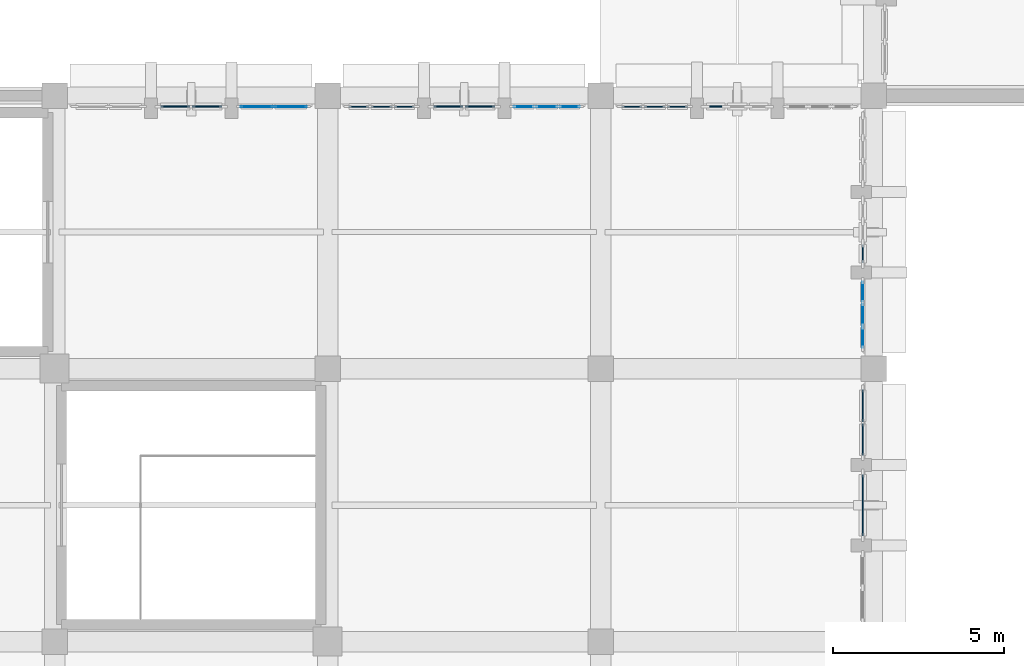
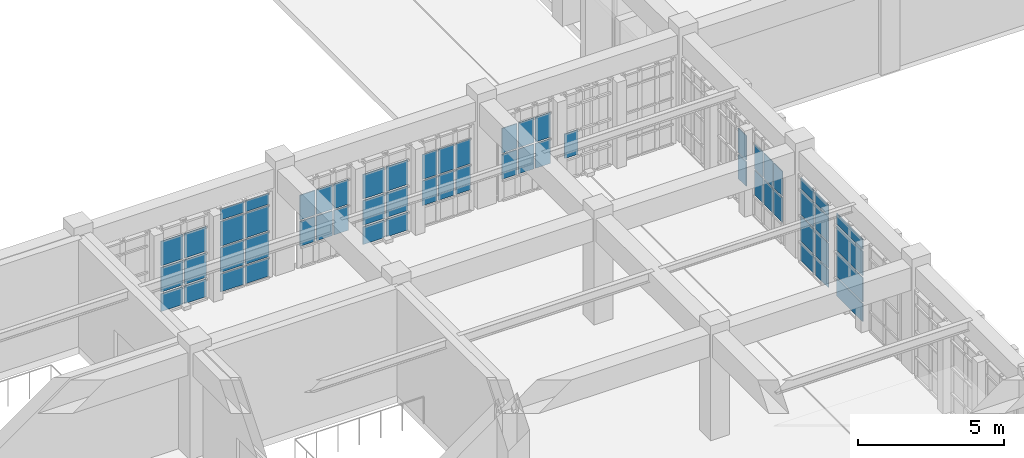
# One storey, part 101 of 155: 59 plates, 11 elements without a shape of their own.
"""IFC4 building model written with IfcOpenShell, lengths in metres."""

from ifc_helpers import new_model, si_unit, direction, frame, origin, origin_2d, place, context, subcontext, project, spatial, rectangle, extrude, material, layer, layer_set, type_object, element, aggregate, save


model = new_model("IFC4")

# Units and contexts
model_context = context("Model", 3, precision=1e-05, world=origin(), true_north=direction((0.0, 1.0)))
body_context = subcontext(model_context, "Body", "Model", "MODEL_VIEW")
ifc_project = project(units=[si_unit("LENGTHUNIT", "METRE"), si_unit("AREAUNIT", "SQUARE_METRE"), si_unit("VOLUMEUNIT", "CUBIC_METRE"), si_unit("PLANEANGLEUNIT", "RADIAN"), si_unit("MASSUNIT", "GRAM", prefix="KILO")], contexts=[model_context])

# Site, building, storey
site_placement = place(None, origin())
site = spatial("IfcSite", under=ifc_project, at=site_placement, CompositionType="ELEMENT")
building_placement = place(site_placement, origin())
building = spatial("IfcBuilding", under=site, at=building_placement, Name="Tazarka Park Arena", CompositionType="ELEMENT")
storey_placement = place(building_placement, frame((0.0, 0.0, 5.39990234375)))
storey = spatial("IfcBuildingStorey", under=building, at=storey_placement, Name="L01", CompositionType="ELEMENT", Elevation=5.39990234375)

# Curtain wall, plates
ifc_material_1 = material(Name="Aluminium and low-e glass", Category="aluminium")
ifc_layer_1 = layer(ifc_material_1, 0.179931640625, Name="Aluminium and low-e glass")
ifc_layer_set_1 = layer_set([ifc_layer_1], Name="Aluminium and low-e glass")
curtain_wall_type_1 = type_object("IfcCurtainWallType", Name="CW-03", PredefinedType="NOTDEFINED", material=ifc_layer_set_1)
curtain_wall_1_placement = place(storey_placement, origin())
curtain_wall_1 = element("IfcCurtainWall", 1, at=curtain_wall_1_placement, inside=storey, type_object=curtain_wall_type_1, Name="Curtain Wall CWA-L01-123", PredefinedType="NOTDEFINED")
ifc_material_2 = material(Name="Double low-e insulated glazing", Category="glass")
ifc_layer_2 = layer(ifc_material_2, 0.028076171875, Name="Double low-e insulated glazing")
ifc_layer_set_2 = layer_set([ifc_layer_2], Name="Double low-e insulated glazing")
plate_type_1 = type_object("IfcPlateType", Name="CWP-01", PredefinedType="CURTAIN_PANEL", material=ifc_layer_set_2)
plate_1_placement = place(storey_placement, frame((39.679931640625, 106.249755859375, 0.8828125), z_axis=(0.0, 0.0, 1.0), x_axis=(0.0, -1.0, 0.0)))
plate_1 = element("IfcPlate", 2, at=plate_1_placement, type_object=plate_type_1, Name="CW-03 panel 1.2", PredefinedType="CURTAIN_PANEL", context=body_context, shape_type="SweptSolid", body=[
    extrude(rectangle(XDim=0.5869140625, YDim=0.028076171875, at=origin_2d()), origin(), (0.0, 0.0, 1.0), 1.034912109375),
])
plate_2_placement = place(storey_placement, frame((39.679931640625, 106.249755859375, 1.982421875), z_axis=(0.0, 0.0, 1.0), x_axis=(0.0, -1.0, 0.0)))
plate_2 = element("IfcPlate", 3, at=plate_2_placement, type_object=plate_type_1, Name="CW-03 panel 1.3", PredefinedType="CURTAIN_PANEL", context=body_context, shape_type="SweptSolid", body=[
    extrude(rectangle(XDim=0.5869140625, YDim=0.028076171875, at=origin_2d()), origin(), (0.0, 0.0, 1.0), 1.034912109375),
])
plate_3_placement = place(storey_placement, frame((39.679931640625, 105.58154296875, 0.8828125), z_axis=(0.0, 0.0, 1.0), x_axis=(0.0, -1.0, 0.0)))
plate_3 = element("IfcPlate", 4, at=plate_3_placement, type_object=plate_type_1, Name="CW-03 panel 2.2", PredefinedType="CURTAIN_PANEL", context=body_context, shape_type="SweptSolid", body=[
    extrude(rectangle(XDim=0.619384765625, YDim=0.028076171875, at=origin_2d()), origin(), (0.0, 0.0, 1.0), 1.034912109375),
])
plate_4_placement = place(storey_placement, frame((39.679931640625, 105.58154296875, 1.982421875), z_axis=(0.0, 0.0, 1.0), x_axis=(0.0, -1.0, 0.0)))
plate_4 = element("IfcPlate", 5, at=plate_4_placement, type_object=plate_type_1, Name="CW-03 panel 2.3", PredefinedType="CURTAIN_PANEL", context=body_context, shape_type="SweptSolid", body=[
    extrude(rectangle(XDim=0.619384765625, YDim=0.028076171875, at=origin_2d()), origin(), (0.0, 0.0, 1.0), 1.034912109375),
])
plate_5_placement = place(storey_placement, frame((39.679931640625, 104.91357421875, 0.8828125), z_axis=(0.0, 0.0, 1.0), x_axis=(0.0, -1.0, 0.0)))
plate_5 = element("IfcPlate", 6, at=plate_5_placement, type_object=plate_type_1, Name="CW-03 panel 3.2", PredefinedType="CURTAIN_PANEL", context=body_context, shape_type="SweptSolid", body=[
    extrude(rectangle(XDim=0.5869140625, YDim=0.028076171875, at=origin_2d()), origin(), (0.0, 0.0, 1.0), 1.034912109375),
])
plate_6_placement = place(storey_placement, frame((39.679931640625, 104.91357421875, 1.982421875), z_axis=(0.0, 0.0, 1.0), x_axis=(0.0, -1.0, 0.0)))
plate_6 = element("IfcPlate", 7, at=plate_6_placement, type_object=plate_type_1, Name="CW-03 panel 3.3", PredefinedType="CURTAIN_PANEL", context=body_context, shape_type="SweptSolid", body=[
    extrude(rectangle(XDim=0.5869140625, YDim=0.028076171875, at=origin_2d()), origin(), (0.0, 0.0, 1.0), 1.034912109375),
])
aggregate(curtain_wall_1, [plate_1, plate_2, plate_3, plate_4, plate_5, plate_6])

ifc_material_3 = material(Name="Aluminium and low-e glass", Category="aluminium")
ifc_layer_3 = layer(ifc_material_3, 0.179931640625, Name="Aluminium and low-e glass")
ifc_layer_set_3 = layer_set([ifc_layer_3], Name="Aluminium and low-e glass")
curtain_wall_type_2 = type_object("IfcCurtainWallType", Name="CW-09", PredefinedType="NOTDEFINED", material=ifc_layer_set_3)
curtain_wall_2_placement = place(storey_placement, origin())
curtain_wall_2 = element("IfcCurtainWall", 8, at=curtain_wall_2_placement, inside=storey, type_object=curtain_wall_type_2, Name="Curtain Wall CWA-L01-129", PredefinedType="NOTDEFINED")
plate_7_placement = place(storey_placement, frame((29.750244140625, 111.679931640625, 0.8828125), z_axis=(0.0, 0.0, 1.0), x_axis=(1.0, 0.0, 0.0)))
plate_7 = element("IfcPlate", 9, at=plate_7_placement, type_object=plate_type_1, Name="CW-09 panel 1.2", PredefinedType="CURTAIN_PANEL", context=body_context, shape_type="SweptSolid", body=[
    extrude(rectangle(XDim=0.5869140625, YDim=0.028076171875, at=origin_2d()), origin(), (0.0, 0.0, 1.0), 1.034912109375),
])
plate_8_placement = place(storey_placement, frame((29.750244140625, 111.679931640625, 1.982421875), z_axis=(0.0, 0.0, 1.0), x_axis=(1.0, 0.0, 0.0)))
plate_8 = element("IfcPlate", 10, at=plate_8_placement, type_object=plate_type_1, Name="CW-09 panel 1.3", PredefinedType="CURTAIN_PANEL", context=body_context, shape_type="SweptSolid", body=[
    extrude(rectangle(XDim=0.5869140625, YDim=0.028076171875, at=origin_2d()), origin(), (0.0, 0.0, 1.0), 1.034912109375),
])
plate_9_placement = place(storey_placement, frame((30.41845703125, 111.679931640625, 0.8828125), z_axis=(0.0, 0.0, 1.0), x_axis=(1.0, 0.0, 0.0)))
plate_9 = element("IfcPlate", 11, at=plate_9_placement, type_object=plate_type_1, Name="CW-09 panel 2.2", PredefinedType="CURTAIN_PANEL", context=body_context, shape_type="SweptSolid", body=[
    extrude(rectangle(XDim=0.619384765625, YDim=0.028076171875, at=origin_2d()), origin(), (0.0, 0.0, 1.0), 1.034912109375),
])
plate_10_placement = place(storey_placement, frame((30.41845703125, 111.679931640625, 1.982421875), z_axis=(0.0, 0.0, 1.0), x_axis=(1.0, 0.0, 0.0)))
plate_10 = element("IfcPlate", 12, at=plate_10_placement, type_object=plate_type_1, Name="CW-09 panel 2.3", PredefinedType="CURTAIN_PANEL", context=body_context, shape_type="SweptSolid", body=[
    extrude(rectangle(XDim=0.619384765625, YDim=0.028076171875, at=origin_2d()), origin(), (0.0, 0.0, 1.0), 1.034912109375),
])
plate_11_placement = place(storey_placement, frame((31.08642578125, 111.679931640625, 0.8828125), z_axis=(0.0, 0.0, 1.0), x_axis=(1.0, 0.0, 0.0)))
plate_11 = element("IfcPlate", 13, at=plate_11_placement, type_object=plate_type_1, Name="CW-09 panel 3.2", PredefinedType="CURTAIN_PANEL", context=body_context, shape_type="SweptSolid", body=[
    extrude(rectangle(XDim=0.5869140625, YDim=0.028076171875, at=origin_2d()), origin(), (0.0, 0.0, 1.0), 1.034912109375),
])
plate_12_placement = place(storey_placement, frame((31.08642578125, 111.679931640625, 1.982421875), z_axis=(0.0, 0.0, 1.0), x_axis=(1.0, 0.0, 0.0)))
plate_12 = element("IfcPlate", 14, at=plate_12_placement, type_object=plate_type_1, Name="CW-09 panel 3.3", PredefinedType="CURTAIN_PANEL", context=body_context, shape_type="SweptSolid", body=[
    extrude(rectangle(XDim=0.5869140625, YDim=0.028076171875, at=origin_2d()), origin(), (0.0, 0.0, 1.0), 1.034912109375),
])
aggregate(curtain_wall_2, [plate_7, plate_8, plate_9, plate_10, plate_11, plate_12])

ifc_material_4 = material(Name="Aluminium and low-e glass", Category="aluminium")
ifc_layer_4 = layer(ifc_material_4, 0.179931640625, Name="Aluminium and low-e glass")
ifc_layer_set_4 = layer_set([ifc_layer_4], Name="Aluminium and low-e glass")
curtain_wall_type_3 = type_object("IfcCurtainWallType", Name="CW-12", PredefinedType="NOTDEFINED", material=ifc_layer_set_4)
curtain_wall_3_placement = place(storey_placement, origin())
curtain_wall_3 = element("IfcCurtainWall", 15, at=curtain_wall_3_placement, inside=storey, type_object=curtain_wall_type_3, Name="Curtain Wall CWA-L01-132", PredefinedType="NOTDEFINED")
plate_13_placement = place(storey_placement, frame((21.92138671875, 111.679931640625, 0.065185546875), z_axis=(0.0, 0.0, 1.0), x_axis=(1.0, 0.0, 0.0)))
plate_13 = element("IfcPlate", 16, at=plate_13_placement, type_object=plate_type_1, Name="CW-12 panel 1.1", PredefinedType="CURTAIN_PANEL", context=body_context, shape_type="SweptSolid", body=[
    extrude(rectangle(XDim=0.92919921875, YDim=0.028076171875, at=origin_2d()), origin(), (0.0, 0.0, 1.0), 0.75244140625),
])
plate_14_placement = place(storey_placement, frame((21.92138671875, 111.679931640625, 0.8828125), z_axis=(0.0, 0.0, 1.0), x_axis=(1.0, 0.0, 0.0)))
plate_14 = element("IfcPlate", 17, at=plate_14_placement, type_object=plate_type_1, Name="CW-12 panel 1.2", PredefinedType="CURTAIN_PANEL", context=body_context, shape_type="SweptSolid", body=[
    extrude(rectangle(XDim=0.92919921875, YDim=0.028076171875, at=origin_2d()), origin(), (0.0, 0.0, 1.0), 1.034912109375),
])
plate_15_placement = place(storey_placement, frame((21.92138671875, 111.679931640625, 1.982421875), z_axis=(0.0, 0.0, 1.0), x_axis=(1.0, 0.0, 0.0)))
plate_15 = element("IfcPlate", 18, at=plate_15_placement, type_object=plate_type_1, Name="CW-12 panel 1.3", PredefinedType="CURTAIN_PANEL", context=body_context, shape_type="SweptSolid", body=[
    extrude(rectangle(XDim=0.92919921875, YDim=0.028076171875, at=origin_2d()), origin(), (0.0, 0.0, 1.0), 1.034912109375),
])
plate_16_placement = place(storey_placement, frame((21.92138671875, 111.679931640625, 3.08251953125), z_axis=(0.0, 0.0, 1.0), x_axis=(1.0, 0.0, 0.0)))
plate_16 = element("IfcPlate", 19, at=plate_16_placement, type_object=plate_type_1, Name="CW-12 panel 1.4", PredefinedType="CURTAIN_PANEL", context=body_context, shape_type="SweptSolid", body=[
    extrude(rectangle(XDim=0.92919921875, YDim=0.028076171875, at=origin_2d()), origin(), (0.0, 0.0, 1.0), 0.452392578125),
])
plate_17_placement = place(storey_placement, frame((22.91552734375, 111.679931640625, 0.065185546875), z_axis=(0.0, 0.0, 1.0), x_axis=(1.0, 0.0, 0.0)))
plate_17 = element("IfcPlate", 20, at=plate_17_placement, type_object=plate_type_1, Name="CW-12 panel 2.1", PredefinedType="CURTAIN_PANEL", context=body_context, shape_type="SweptSolid", body=[
    extrude(rectangle(XDim=0.92919921875, YDim=0.028076171875, at=origin_2d()), origin(), (0.0, 0.0, 1.0), 0.75244140625),
])
plate_18_placement = place(storey_placement, frame((22.91552734375, 111.679931640625, 0.8828125), z_axis=(0.0, 0.0, 1.0), x_axis=(1.0, 0.0, 0.0)))
plate_18 = element("IfcPlate", 21, at=plate_18_placement, type_object=plate_type_1, Name="CW-12 panel 2.2", PredefinedType="CURTAIN_PANEL", context=body_context, shape_type="SweptSolid", body=[
    extrude(rectangle(XDim=0.92919921875, YDim=0.028076171875, at=origin_2d()), origin(), (0.0, 0.0, 1.0), 1.034912109375),
])
plate_19_placement = place(storey_placement, frame((22.91552734375, 111.679931640625, 1.982421875), z_axis=(0.0, 0.0, 1.0), x_axis=(1.0, 0.0, 0.0)))
plate_19 = element("IfcPlate", 22, at=plate_19_placement, type_object=plate_type_1, Name="CW-12 panel 2.3", PredefinedType="CURTAIN_PANEL", context=body_context, shape_type="SweptSolid", body=[
    extrude(rectangle(XDim=0.92919921875, YDim=0.028076171875, at=origin_2d()), origin(), (0.0, 0.0, 1.0), 1.034912109375),
])
plate_20_placement = place(storey_placement, frame((22.91552734375, 111.679931640625, 3.08251953125), z_axis=(0.0, 0.0, 1.0), x_axis=(1.0, 0.0, 0.0)))
plate_20 = element("IfcPlate", 23, at=plate_20_placement, type_object=plate_type_1, Name="CW-12 panel 2.4", PredefinedType="CURTAIN_PANEL", context=body_context, shape_type="SweptSolid", body=[
    extrude(rectangle(XDim=0.92919921875, YDim=0.028076171875, at=origin_2d()), origin(), (0.0, 0.0, 1.0), 0.452392578125),
])
aggregate(curtain_wall_3, [plate_13, plate_14, plate_15, plate_16, plate_17, plate_18, plate_19, plate_20])

ifc_material_5 = material(Name="Aluminium and low-e glass", Category="aluminium")
ifc_layer_5 = layer(ifc_material_5, 0.179931640625, Name="Aluminium and low-e glass")
ifc_layer_set_5 = layer_set([ifc_layer_5], Name="Aluminium and low-e glass")
curtain_wall_type_4 = type_object("IfcCurtainWallType", Name="CW-28", PredefinedType="NOTDEFINED", material=ifc_layer_set_5)
curtain_wall_4_placement = place(storey_placement, origin())
curtain_wall_4 = element("IfcCurtainWall", 24, at=curtain_wall_4_placement, inside=storey, type_object=curtain_wall_type_4, Name="Curtain Wall CWA-L01-118", PredefinedType="NOTDEFINED")
ifc_material_6 = material(Name="Triple acoustic solar glazing", Category="glass")
ifc_layer_6 = layer(ifc_material_6, 0.031982421875, Name="Triple acoustic solar glazing")
ifc_layer_set_6 = layer_set([ifc_layer_6], Name="Triple acoustic solar glazing")
plate_type_2 = type_object("IfcPlateType", Name="CWP-02", PredefinedType="CURTAIN_PANEL", material=ifc_layer_set_6)
plate_21_placement = place(storey_placement, frame((39.679931640625, 102.91552734375, 0.065185546875), z_axis=(0.0, 0.0, 1.0), x_axis=(0.0, -1.0, 0.0)))
plate_21 = element("IfcPlate", 25, at=plate_21_placement, type_object=plate_type_2, Name="CW-28 panel 1.1", PredefinedType="CURTAIN_PANEL", context=body_context, shape_type="SweptSolid", body=[
    extrude(rectangle(XDim=0.92919921875, YDim=0.031982421875, at=origin_2d()), origin(), (0.0, 0.0, 1.0), 0.75244140625),
])
plate_22_placement = place(storey_placement, frame((39.679931640625, 102.91552734375, 0.8828125), z_axis=(0.0, 0.0, 1.0), x_axis=(0.0, -1.0, 0.0)))
plate_22 = element("IfcPlate", 26, at=plate_22_placement, type_object=plate_type_2, Name="CW-28 panel 1.2", PredefinedType="CURTAIN_PANEL", context=body_context, shape_type="SweptSolid", body=[
    extrude(rectangle(XDim=0.92919921875, YDim=0.031982421875, at=origin_2d()), origin(), (0.0, 0.0, 1.0), 1.034912109375),
])
plate_23_placement = place(storey_placement, frame((39.679931640625, 102.91552734375, 1.982421875), z_axis=(0.0, 0.0, 1.0), x_axis=(0.0, -1.0, 0.0)))
plate_23 = element("IfcPlate", 27, at=plate_23_placement, type_object=plate_type_2, Name="CW-28 panel 1.3", PredefinedType="CURTAIN_PANEL", context=body_context, shape_type="SweptSolid", body=[
    extrude(rectangle(XDim=0.92919921875, YDim=0.031982421875, at=origin_2d()), origin(), (0.0, 0.0, 1.0), 1.034912109375),
])
plate_24_placement = place(storey_placement, frame((39.679931640625, 102.91552734375, 3.08251953125), z_axis=(0.0, 0.0, 1.0), x_axis=(0.0, -1.0, 0.0)))
plate_24 = element("IfcPlate", 28, at=plate_24_placement, type_object=plate_type_2, Name="CW-28 panel 1.4", PredefinedType="CURTAIN_PANEL", context=body_context, shape_type="SweptSolid", body=[
    extrude(rectangle(XDim=0.92919921875, YDim=0.031982421875, at=origin_2d()), origin(), (0.0, 0.0, 1.0), 0.452392578125),
])
plate_25_placement = place(storey_placement, frame((39.679931640625, 101.92138671875, 0.065185546875), z_axis=(0.0, 0.0, 1.0), x_axis=(0.0, -1.0, 0.0)))
plate_25 = element("IfcPlate", 29, at=plate_25_placement, type_object=plate_type_2, Name="CW-28 panel 2.1", PredefinedType="CURTAIN_PANEL", context=body_context, shape_type="SweptSolid", body=[
    extrude(rectangle(XDim=0.92919921875, YDim=0.031982421875, at=origin_2d()), origin(), (0.0, 0.0, 1.0), 0.75244140625),
])
plate_26_placement = place(storey_placement, frame((39.679931640625, 101.92138671875, 0.8828125), z_axis=(0.0, 0.0, 1.0), x_axis=(0.0, -1.0, 0.0)))
plate_26 = element("IfcPlate", 30, at=plate_26_placement, type_object=plate_type_2, Name="CW-28 panel 2.2", PredefinedType="CURTAIN_PANEL", context=body_context, shape_type="SweptSolid", body=[
    extrude(rectangle(XDim=0.92919921875, YDim=0.031982421875, at=origin_2d()), origin(), (0.0, 0.0, 1.0), 1.034912109375),
])
plate_27_placement = place(storey_placement, frame((39.679931640625, 101.92138671875, 1.982421875), z_axis=(0.0, 0.0, 1.0), x_axis=(0.0, -1.0, 0.0)))
plate_27 = element("IfcPlate", 31, at=plate_27_placement, type_object=plate_type_2, Name="CW-28 panel 2.3", PredefinedType="CURTAIN_PANEL", context=body_context, shape_type="SweptSolid", body=[
    extrude(rectangle(XDim=0.92919921875, YDim=0.031982421875, at=origin_2d()), origin(), (0.0, 0.0, 1.0), 1.034912109375),
])
plate_28_placement = place(storey_placement, frame((39.679931640625, 101.92138671875, 3.08251953125), z_axis=(0.0, 0.0, 1.0), x_axis=(0.0, -1.0, 0.0)))
plate_28 = element("IfcPlate", 32, at=plate_28_placement, type_object=plate_type_2, Name="CW-28 panel 2.4", PredefinedType="CURTAIN_PANEL", context=body_context, shape_type="SweptSolid", body=[
    extrude(rectangle(XDim=0.92919921875, YDim=0.031982421875, at=origin_2d()), origin(), (0.0, 0.0, 1.0), 0.452392578125),
])
aggregate(curtain_wall_4, [plate_21, plate_22, plate_23, plate_24, plate_25, plate_26, plate_27, plate_28])

ifc_material_7 = material(Name="Aluminium and low-e glass", Category="aluminium")
ifc_layer_7 = layer(ifc_material_7, 0.179931640625, Name="Aluminium and low-e glass")
ifc_layer_set_7 = layer_set([ifc_layer_7], Name="Aluminium and low-e glass")
curtain_wall_type_5 = type_object("IfcCurtainWallType", Name="CW-04", PredefinedType="NOTDEFINED", material=ifc_layer_set_7)
curtain_wall_5_placement = place(storey_placement, origin())
curtain_wall_5 = element("IfcCurtainWall", 33, at=curtain_wall_5_placement, inside=storey, type_object=curtain_wall_type_5, Name="Curtain Wall CWA-L01-124", PredefinedType="NOTDEFINED")
plate_29_placement = place(storey_placement, frame((32.91357421875, 111.679931640625, 0.8828125), z_axis=(0.0, 0.0, 1.0), x_axis=(1.0, 0.0, 0.0)))
plate_29 = element("IfcPlate", 34, at=plate_29_placement, type_object=plate_type_2, Name="CW-04 panel 1.2", PredefinedType="CURTAIN_PANEL", context=body_context, shape_type="SweptSolid", body=[
    extrude(rectangle(XDim=0.5869140625, YDim=0.031982421875, at=origin_2d()), origin(), (0.0, 0.0, 1.0), 1.034912109375),
])
plate_30_placement = place(storey_placement, frame((32.91357421875, 111.679931640625, 1.982421875), z_axis=(0.0, 0.0, 1.0), x_axis=(1.0, 0.0, 0.0)))
plate_30 = element("IfcPlate", 35, at=plate_30_placement, type_object=plate_type_2, Name="CW-04 panel 1.3", PredefinedType="CURTAIN_PANEL", context=body_context, shape_type="SweptSolid", body=[
    extrude(rectangle(XDim=0.5869140625, YDim=0.031982421875, at=origin_2d()), origin(), (0.0, 0.0, 1.0), 1.034912109375),
])
plate_31_placement = place(storey_placement, frame((33.58154296875, 111.679931640625, 0.8828125), z_axis=(0.0, 0.0, 1.0), x_axis=(1.0, 0.0, 0.0)))
plate_31 = element("IfcPlate", 36, at=plate_31_placement, type_object=plate_type_2, Name="CW-04 panel 2.2", PredefinedType="CURTAIN_PANEL", context=body_context, shape_type="SweptSolid", body=[
    extrude(rectangle(XDim=0.619384765625, YDim=0.031982421875, at=origin_2d()), origin(), (0.0, 0.0, 1.0), 1.034912109375),
])
plate_32_placement = place(storey_placement, frame((33.58154296875, 111.679931640625, 1.982421875), z_axis=(0.0, 0.0, 1.0), x_axis=(1.0, 0.0, 0.0)))
plate_32 = element("IfcPlate", 37, at=plate_32_placement, type_object=plate_type_2, Name="CW-04 panel 2.3", PredefinedType="CURTAIN_PANEL", context=body_context, shape_type="SweptSolid", body=[
    extrude(rectangle(XDim=0.619384765625, YDim=0.031982421875, at=origin_2d()), origin(), (0.0, 0.0, 1.0), 1.034912109375),
])
plate_33_placement = place(storey_placement, frame((34.249755859375, 111.679931640625, 0.8828125), z_axis=(0.0, 0.0, 1.0), x_axis=(1.0, 0.0, 0.0)))
plate_33 = element("IfcPlate", 38, at=plate_33_placement, type_object=plate_type_2, Name="CW-04 panel 3.2", PredefinedType="CURTAIN_PANEL", context=body_context, shape_type="SweptSolid", body=[
    extrude(rectangle(XDim=0.5869140625, YDim=0.031982421875, at=origin_2d()), origin(), (0.0, 0.0, 1.0), 1.034912109375),
])
plate_34_placement = place(storey_placement, frame((34.249755859375, 111.679931640625, 1.982421875), z_axis=(0.0, 0.0, 1.0), x_axis=(1.0, 0.0, 0.0)))
plate_34 = element("IfcPlate", 39, at=plate_34_placement, type_object=plate_type_2, Name="CW-04 panel 3.3", PredefinedType="CURTAIN_PANEL", context=body_context, shape_type="SweptSolid", body=[
    extrude(rectangle(XDim=0.5869140625, YDim=0.031982421875, at=origin_2d()), origin(), (0.0, 0.0, 1.0), 1.034912109375),
])
aggregate(curtain_wall_5, [plate_29, plate_30, plate_31, plate_32, plate_33, plate_34])

ifc_material_8 = material(Name="Aluminium and low-e glass", Category="aluminium")
ifc_layer_8 = layer(ifc_material_8, 0.179931640625, Name="Aluminium and low-e glass")
ifc_layer_set_8 = layer_set([ifc_layer_8], Name="Aluminium and low-e glass")
curtain_wall_type_6 = type_object("IfcCurtainWallType", Name="CW-07", PredefinedType="NOTDEFINED", material=ifc_layer_set_8)
curtain_wall_6_placement = place(storey_placement, origin())
curtain_wall_6 = element("IfcCurtainWall", 40, at=curtain_wall_6_placement, inside=storey, type_object=curtain_wall_type_6, Name="Curtain Wall CWA-L01-127", PredefinedType="NOTDEFINED")
plate_35_placement = place(storey_placement, frame((24.91357421875, 111.679931640625, 0.8828125), z_axis=(0.0, 0.0, 1.0), x_axis=(1.0, 0.0, 0.0)))
plate_35 = element("IfcPlate", 41, at=plate_35_placement, type_object=plate_type_2, Name="CW-07 panel 1.2", PredefinedType="CURTAIN_PANEL", context=body_context, shape_type="SweptSolid", body=[
    extrude(rectangle(XDim=0.5869140625, YDim=0.031982421875, at=origin_2d()), origin(), (0.0, 0.0, 1.0), 1.034912109375),
])
plate_36_placement = place(storey_placement, frame((24.91357421875, 111.679931640625, 1.982421875), z_axis=(0.0, 0.0, 1.0), x_axis=(1.0, 0.0, 0.0)))
plate_36 = element("IfcPlate", 42, at=plate_36_placement, type_object=plate_type_2, Name="CW-07 panel 1.3", PredefinedType="CURTAIN_PANEL", context=body_context, shape_type="SweptSolid", body=[
    extrude(rectangle(XDim=0.5869140625, YDim=0.031982421875, at=origin_2d()), origin(), (0.0, 0.0, 1.0), 1.034912109375),
])
plate_37_placement = place(storey_placement, frame((25.58154296875, 111.679931640625, 0.8828125), z_axis=(0.0, 0.0, 1.0), x_axis=(1.0, 0.0, 0.0)))
plate_37 = element("IfcPlate", 43, at=plate_37_placement, type_object=plate_type_2, Name="CW-07 panel 2.2", PredefinedType="CURTAIN_PANEL", context=body_context, shape_type="SweptSolid", body=[
    extrude(rectangle(XDim=0.619384765625, YDim=0.031982421875, at=origin_2d()), origin(), (0.0, 0.0, 1.0), 1.034912109375),
])
plate_38_placement = place(storey_placement, frame((25.58154296875, 111.679931640625, 1.982421875), z_axis=(0.0, 0.0, 1.0), x_axis=(1.0, 0.0, 0.0)))
plate_38 = element("IfcPlate", 44, at=plate_38_placement, type_object=plate_type_2, Name="CW-07 panel 2.3", PredefinedType="CURTAIN_PANEL", context=body_context, shape_type="SweptSolid", body=[
    extrude(rectangle(XDim=0.619384765625, YDim=0.031982421875, at=origin_2d()), origin(), (0.0, 0.0, 1.0), 1.034912109375),
])
plate_39_placement = place(storey_placement, frame((26.249755859375, 111.679931640625, 0.8828125), z_axis=(0.0, 0.0, 1.0), x_axis=(1.0, 0.0, 0.0)))
plate_39 = element("IfcPlate", 45, at=plate_39_placement, type_object=plate_type_2, Name="CW-07 panel 3.2", PredefinedType="CURTAIN_PANEL", context=body_context, shape_type="SweptSolid", body=[
    extrude(rectangle(XDim=0.5869140625, YDim=0.031982421875, at=origin_2d()), origin(), (0.0, 0.0, 1.0), 1.034912109375),
])
plate_40_placement = place(storey_placement, frame((26.249755859375, 111.679931640625, 1.982421875), z_axis=(0.0, 0.0, 1.0), x_axis=(1.0, 0.0, 0.0)))
plate_40 = element("IfcPlate", 46, at=plate_40_placement, type_object=plate_type_2, Name="CW-07 panel 3.3", PredefinedType="CURTAIN_PANEL", context=body_context, shape_type="SweptSolid", body=[
    extrude(rectangle(XDim=0.5869140625, YDim=0.031982421875, at=origin_2d()), origin(), (0.0, 0.0, 1.0), 1.034912109375),
])
aggregate(curtain_wall_6, [plate_35, plate_36, plate_37, plate_38, plate_39, plate_40])

ifc_material_9 = material(Name="Aluminium and low-e glass", Category="aluminium")
ifc_layer_9 = layer(ifc_material_9, 0.179931640625, Name="Aluminium and low-e glass")
ifc_layer_set_9 = layer_set([ifc_layer_9], Name="Aluminium and low-e glass")
curtain_wall_type_7 = type_object("IfcCurtainWallType", Name="CW-29", PredefinedType="NOTDEFINED", material=ifc_layer_set_9)
curtain_wall_7_placement = place(storey_placement, origin())
curtain_wall_7 = element("IfcCurtainWall", 47, at=curtain_wall_7_placement, inside=storey, type_object=curtain_wall_type_7, Name="Curtain Wall CWA-L01-119", PredefinedType="NOTDEFINED")
ifc_material_10 = material(Name="Insulated aluminium spandrel panel", Category="aluminium")
ifc_layer_10 = layer(ifc_material_10, 0.035888671875, Name="Insulated aluminium spandrel panel")
ifc_layer_set_10 = layer_set([ifc_layer_10], Name="Insulated aluminium spandrel panel")
plate_type_3 = type_object("IfcPlateType", Name="CWP-03", PredefinedType="CURTAIN_PANEL", material=ifc_layer_set_10)
plate_41_placement = place(storey_placement, frame((39.679931640625, 100.0, 0.0751953125), z_axis=(0.0, 0.0, 1.0), x_axis=(0.0, -1.0, 0.0)))
plate_41 = element("IfcPlate", 48, at=plate_41_placement, type_object=plate_type_3, Name="CW-29 panel 1.1", PredefinedType="CURTAIN_PANEL", context=body_context, shape_type="SweptSolid", body=[
    extrude(rectangle(XDim=1.79345703125, YDim=0.035888671875, at=origin_2d()), origin(), (0.0, 0.0, 1.0), 0.737548828125),
])
plate_42_placement = place(storey_placement, frame((39.679931640625, 100.0, 0.8876953125), z_axis=(0.0, 0.0, 1.0), x_axis=(0.0, -1.0, 0.0)))
plate_42 = element("IfcPlate", 49, at=plate_42_placement, type_object=plate_type_3, Name="CW-29 panel 1.2", PredefinedType="CURTAIN_PANEL", context=body_context, shape_type="SweptSolid", body=[
    extrude(rectangle(XDim=1.79345703125, YDim=0.035888671875, at=origin_2d()), origin(), (0.0, 0.0, 1.0), 1.02490234375),
])
plate_43_placement = place(storey_placement, frame((39.679931640625, 100.0, 1.987548828125), z_axis=(0.0, 0.0, 1.0), x_axis=(0.0, -1.0, 0.0)))
plate_43 = element("IfcPlate", 50, at=plate_43_placement, type_object=plate_type_3, Name="CW-29 panel 1.3", PredefinedType="CURTAIN_PANEL", context=body_context, shape_type="SweptSolid", body=[
    extrude(rectangle(XDim=1.79345703125, YDim=0.035888671875, at=origin_2d()), origin(), (0.0, 0.0, 1.0), 1.02490234375),
])
plate_44_placement = place(storey_placement, frame((39.679931640625, 100.0, 3.087646484375), z_axis=(0.0, 0.0, 1.0), x_axis=(0.0, -1.0, 0.0)))
plate_44 = element("IfcPlate", 51, at=plate_44_placement, type_object=plate_type_3, Name="CW-29 panel 1.4", PredefinedType="CURTAIN_PANEL", context=body_context, shape_type="SweptSolid", body=[
    extrude(rectangle(XDim=1.79345703125, YDim=0.035888671875, at=origin_2d()), origin(), (0.0, 0.0, 1.0), 0.4375),
])
aggregate(curtain_wall_7, [plate_41, plate_42, plate_43, plate_44])

ifc_material_11 = material(Name="Aluminium and low-e glass", Category="aluminium")
ifc_layer_11 = layer(ifc_material_11, 0.179931640625, Name="Aluminium and low-e glass")
ifc_layer_set_11 = layer_set([ifc_layer_11], Name="Aluminium and low-e glass")
curtain_wall_type_8 = type_object("IfcCurtainWallType", Name="CW-02", PredefinedType="NOTDEFINED", material=ifc_layer_set_11)
curtain_wall_8_placement = place(storey_placement, origin())
curtain_wall_8 = element("IfcCurtainWall", 52, at=curtain_wall_8_placement, inside=storey, type_object=curtain_wall_type_8, Name="Curtain Wall CWA-L01-122", PredefinedType="NOTDEFINED")
plate_45_placement = place(storey_placement, frame((39.679931640625, 107.370849609375, 0.8876953125), z_axis=(0.0, 0.0, 1.0), x_axis=(0.0, -1.0, 0.0)))
plate_45 = element("IfcPlate", 53, at=plate_45_placement, type_object=plate_type_3, Name="CW-02 panel 3.2", PredefinedType="CURTAIN_PANEL", context=body_context, shape_type="SweptSolid", body=[
    extrude(rectangle(XDim=0.535400390625, YDim=0.035888671875, at=origin_2d()), origin(), (0.0, 0.0, 1.0), 1.02490234375),
])
plate_46_placement = place(storey_placement, frame((39.679931640625, 107.370849609375, 1.987548828125), z_axis=(0.0, 0.0, 1.0), x_axis=(0.0, -1.0, 0.0)))
plate_46 = element("IfcPlate", 54, at=plate_46_placement, type_object=plate_type_3, Name="CW-02 panel 3.3", PredefinedType="CURTAIN_PANEL", context=body_context, shape_type="SweptSolid", body=[
    extrude(rectangle(XDim=0.535400390625, YDim=0.035888671875, at=origin_2d()), origin(), (0.0, 0.0, 1.0), 1.02490234375),
])
aggregate(curtain_wall_8, [plate_45, plate_46])

# Curtain wall, plate
ifc_material_12 = material(Name="Aluminium and low-e glass", Category="aluminium")
ifc_layer_12 = layer(ifc_material_12, 0.179931640625, Name="Aluminium and low-e glass")
ifc_layer_set_12 = layer_set([ifc_layer_12], Name="Aluminium and low-e glass")
curtain_wall_type_9 = type_object("IfcCurtainWallType", Name="CW-05", PredefinedType="NOTDEFINED", material=ifc_layer_set_12)
curtain_wall_9_placement = place(storey_placement, origin())
curtain_wall_9 = element("IfcCurtainWall", 55, at=curtain_wall_9_placement, inside=storey, type_object=curtain_wall_type_9, Name="Curtain Wall CWA-L01-125", PredefinedType="NOTDEFINED")
plate_47_placement = place(storey_placement, frame((35.370849609375, 111.679931640625, 0.8876953125), z_axis=(0.0, 0.0, 1.0), x_axis=(1.0, 0.0, 0.0)))
plate_47 = element("IfcPlate", 56, at=plate_47_placement, type_object=plate_type_3, Name="CW-05 panel 1.2", PredefinedType="CURTAIN_PANEL", context=body_context, shape_type="SweptSolid", body=[
    extrude(rectangle(XDim=0.535400390625, YDim=0.035888671875, at=origin_2d()), origin(), (0.0, 0.0, 1.0), 1.02490234375),
])
aggregate(curtain_wall_9, [plate_47])

# Curtain wall, plates
ifc_material_13 = material(Name="Aluminium and low-e glass", Category="aluminium")
ifc_layer_13 = layer(ifc_material_13, 0.179931640625, Name="Aluminium and low-e glass")
ifc_layer_set_13 = layer_set([ifc_layer_13], Name="Aluminium and low-e glass")
curtain_wall_type_10 = type_object("IfcCurtainWallType", Name="CW-08", PredefinedType="NOTDEFINED", material=ifc_layer_set_13)
curtain_wall_10_placement = place(storey_placement, origin())
curtain_wall_10 = element("IfcCurtainWall", 57, at=curtain_wall_10_placement, inside=storey, type_object=curtain_wall_type_10, Name="Curtain Wall CWA-L01-128", PredefinedType="NOTDEFINED")
plate_48_placement = place(storey_placement, frame((27.532958984375, 111.679931640625, 0.0751953125), z_axis=(0.0, 0.0, 1.0), x_axis=(1.0, 0.0, 0.0)))
plate_48 = element("IfcPlate", 58, at=plate_48_placement, type_object=plate_type_3, Name="CW-08 panel 1.1", PredefinedType="CURTAIN_PANEL", context=body_context, shape_type="SweptSolid", body=[
    extrude(rectangle(XDim=0.859130859375, YDim=0.035888671875, at=origin_2d()), origin(), (0.0, 0.0, 1.0), 0.737548828125),
])
plate_49_placement = place(storey_placement, frame((27.532958984375, 111.679931640625, 0.8876953125), z_axis=(0.0, 0.0, 1.0), x_axis=(1.0, 0.0, 0.0)))
plate_49 = element("IfcPlate", 59, at=plate_49_placement, type_object=plate_type_3, Name="CW-08 panel 1.2", PredefinedType="CURTAIN_PANEL", context=body_context, shape_type="SweptSolid", body=[
    extrude(rectangle(XDim=0.859130859375, YDim=0.035888671875, at=origin_2d()), origin(), (0.0, 0.0, 1.0), 1.02490234375),
])
plate_50_placement = place(storey_placement, frame((27.532958984375, 111.679931640625, 1.987548828125), z_axis=(0.0, 0.0, 1.0), x_axis=(1.0, 0.0, 0.0)))
plate_50 = element("IfcPlate", 60, at=plate_50_placement, type_object=plate_type_3, Name="CW-08 panel 1.3", PredefinedType="CURTAIN_PANEL", context=body_context, shape_type="SweptSolid", body=[
    extrude(rectangle(XDim=0.859130859375, YDim=0.035888671875, at=origin_2d()), origin(), (0.0, 0.0, 1.0), 1.02490234375),
])
plate_51_placement = place(storey_placement, frame((28.467041015625, 111.679931640625, 0.0751953125), z_axis=(0.0, 0.0, 1.0), x_axis=(1.0, 0.0, 0.0)))
plate_51 = element("IfcPlate", 61, at=plate_51_placement, type_object=plate_type_3, Name="CW-08 panel 2.1", PredefinedType="CURTAIN_PANEL", context=body_context, shape_type="SweptSolid", body=[
    extrude(rectangle(XDim=0.859130859375, YDim=0.035888671875, at=origin_2d()), origin(), (0.0, 0.0, 1.0), 0.737548828125),
])
plate_52_placement = place(storey_placement, frame((28.467041015625, 111.679931640625, 0.8876953125), z_axis=(0.0, 0.0, 1.0), x_axis=(1.0, 0.0, 0.0)))
plate_52 = element("IfcPlate", 62, at=plate_52_placement, type_object=plate_type_3, Name="CW-08 panel 2.2", PredefinedType="CURTAIN_PANEL", context=body_context, shape_type="SweptSolid", body=[
    extrude(rectangle(XDim=0.859130859375, YDim=0.035888671875, at=origin_2d()), origin(), (0.0, 0.0, 1.0), 1.02490234375),
])
plate_53_placement = place(storey_placement, frame((28.467041015625, 111.679931640625, 1.987548828125), z_axis=(0.0, 0.0, 1.0), x_axis=(1.0, 0.0, 0.0)))
plate_53 = element("IfcPlate", 63, at=plate_53_placement, type_object=plate_type_3, Name="CW-08 panel 2.3", PredefinedType="CURTAIN_PANEL", context=body_context, shape_type="SweptSolid", body=[
    extrude(rectangle(XDim=0.859130859375, YDim=0.035888671875, at=origin_2d()), origin(), (0.0, 0.0, 1.0), 1.02490234375),
])
aggregate(curtain_wall_10, [plate_48, plate_49, plate_50, plate_51, plate_52, plate_53])

ifc_material_14 = material(Name="Aluminium and low-e glass", Category="aluminium")
ifc_layer_14 = layer(ifc_material_14, 0.179931640625, Name="Aluminium and low-e glass")
ifc_layer_set_14 = layer_set([ifc_layer_14], Name="Aluminium and low-e glass")
curtain_wall_type_11 = type_object("IfcCurtainWallType", Name="CW-11", PredefinedType="NOTDEFINED", material=ifc_layer_set_14)
curtain_wall_11_placement = place(storey_placement, origin())
curtain_wall_11 = element("IfcCurtainWall", 64, at=curtain_wall_11_placement, inside=storey, type_object=curtain_wall_type_11, Name="Curtain Wall CWA-L01-131", PredefinedType="NOTDEFINED")
plate_54_placement = place(storey_placement, frame((19.532958984375, 111.679931640625, 0.0751953125), z_axis=(0.0, 0.0, 1.0), x_axis=(1.0, 0.0, 0.0)))
plate_54 = element("IfcPlate", 65, at=plate_54_placement, type_object=plate_type_3, Name="CW-11 panel 1.1", PredefinedType="CURTAIN_PANEL", context=body_context, shape_type="SweptSolid", body=[
    extrude(rectangle(XDim=0.859130859375, YDim=0.035888671875, at=origin_2d()), origin(), (0.0, 0.0, 1.0), 0.737548828125),
])
plate_55_placement = place(storey_placement, frame((19.532958984375, 111.679931640625, 0.8876953125), z_axis=(0.0, 0.0, 1.0), x_axis=(1.0, 0.0, 0.0)))
plate_55 = element("IfcPlate", 66, at=plate_55_placement, type_object=plate_type_3, Name="CW-11 panel 1.2", PredefinedType="CURTAIN_PANEL", context=body_context, shape_type="SweptSolid", body=[
    extrude(rectangle(XDim=0.859130859375, YDim=0.035888671875, at=origin_2d()), origin(), (0.0, 0.0, 1.0), 1.02490234375),
])
plate_56_placement = place(storey_placement, frame((19.532958984375, 111.679931640625, 1.987548828125), z_axis=(0.0, 0.0, 1.0), x_axis=(1.0, 0.0, 0.0)))
plate_56 = element("IfcPlate", 67, at=plate_56_placement, type_object=plate_type_3, Name="CW-11 panel 1.3", PredefinedType="CURTAIN_PANEL", context=body_context, shape_type="SweptSolid", body=[
    extrude(rectangle(XDim=0.859130859375, YDim=0.035888671875, at=origin_2d()), origin(), (0.0, 0.0, 1.0), 1.02490234375),
])
plate_57_placement = place(storey_placement, frame((20.467041015625, 111.679931640625, 0.0751953125), z_axis=(0.0, 0.0, 1.0), x_axis=(1.0, 0.0, 0.0)))
plate_57 = element("IfcPlate", 68, at=plate_57_placement, type_object=plate_type_3, Name="CW-11 panel 2.1", PredefinedType="CURTAIN_PANEL", context=body_context, shape_type="SweptSolid", body=[
    extrude(rectangle(XDim=0.859130859375, YDim=0.035888671875, at=origin_2d()), origin(), (0.0, 0.0, 1.0), 0.737548828125),
])
plate_58_placement = place(storey_placement, frame((20.467041015625, 111.679931640625, 0.8876953125), z_axis=(0.0, 0.0, 1.0), x_axis=(1.0, 0.0, 0.0)))
plate_58 = element("IfcPlate", 69, at=plate_58_placement, type_object=plate_type_3, Name="CW-11 panel 2.2", PredefinedType="CURTAIN_PANEL", context=body_context, shape_type="SweptSolid", body=[
    extrude(rectangle(XDim=0.859130859375, YDim=0.035888671875, at=origin_2d()), origin(), (0.0, 0.0, 1.0), 1.02490234375),
])
plate_59_placement = place(storey_placement, frame((20.467041015625, 111.679931640625, 1.987548828125), z_axis=(0.0, 0.0, 1.0), x_axis=(1.0, 0.0, 0.0)))
plate_59 = element("IfcPlate", 70, at=plate_59_placement, type_object=plate_type_3, Name="CW-11 panel 2.3", PredefinedType="CURTAIN_PANEL", context=body_context, shape_type="SweptSolid", body=[
    extrude(rectangle(XDim=0.859130859375, YDim=0.035888671875, at=origin_2d()), origin(), (0.0, 0.0, 1.0), 1.02490234375),
])
aggregate(curtain_wall_11, [plate_54, plate_55, plate_56, plate_57, plate_58, plate_59])

save(model, "model.ifc")
